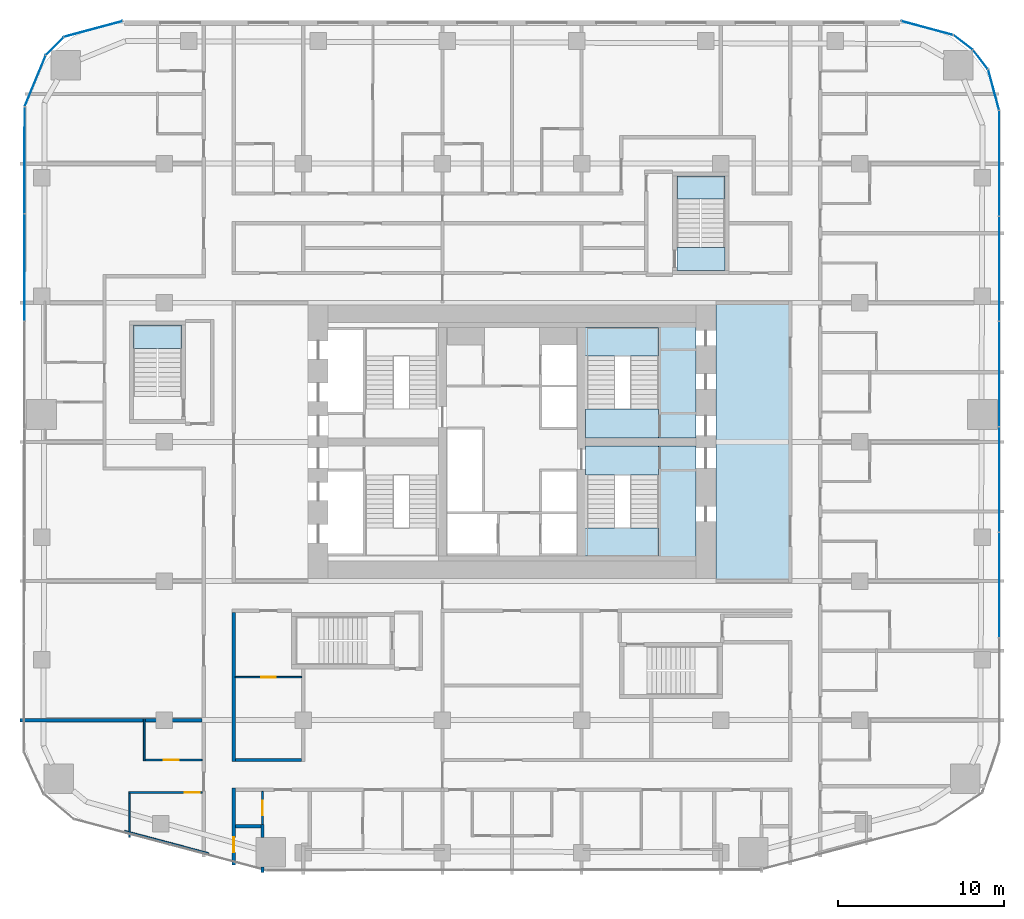
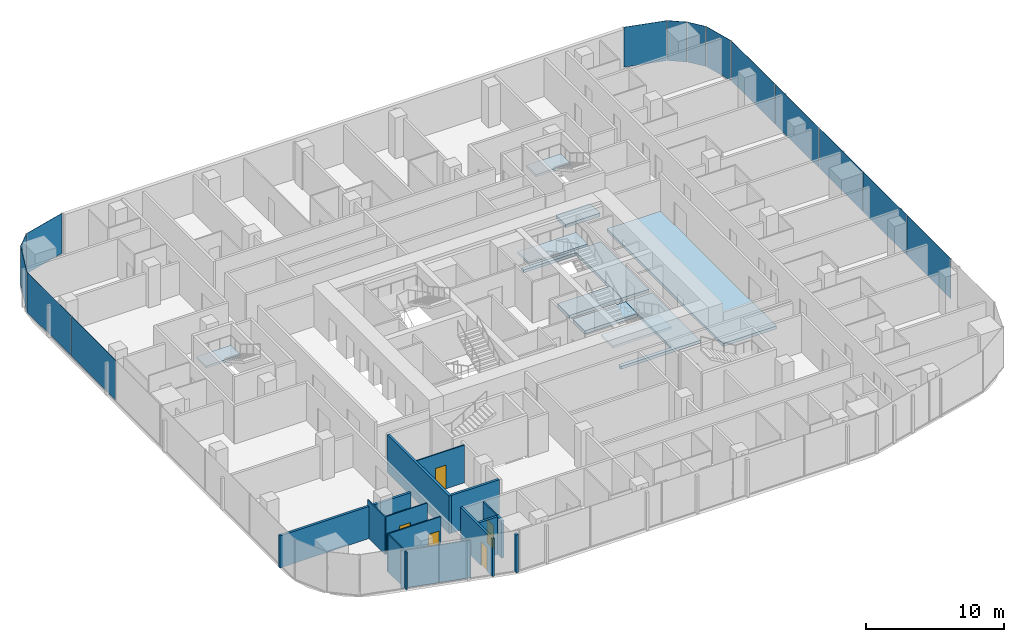
# One storey, part 15 of 26: 14 plates, 14 walls, 10 slabs, 5 doors, 5 openings, 13 elements without a shape of their own.
"""IFC4 building model written with IfcOpenShell, lengths in metres."""

from ifc_helpers import new_model, si_unit, direction, frame, frame_2d, origin, origin_2d, place, context, subcontext, project, spatial, polyline, rectangle, outline, extrude, material, layer, layer_set, type_object, element, fill, aggregate, save


model = new_model("IFC4")

# Units and contexts
model_context = context("Model", 3, precision=1e-05, world=origin(), true_north=direction((0.0, 1.0)))
body_context = subcontext(model_context, "Body", "Model", "MODEL_VIEW")
ifc_project = project(units=[si_unit("LENGTHUNIT", "METRE"), si_unit("AREAUNIT", "SQUARE_METRE"), si_unit("VOLUMEUNIT", "CUBIC_METRE"), si_unit("PLANEANGLEUNIT", "RADIAN"), si_unit("MASSUNIT", "GRAM", prefix="KILO")], contexts=[model_context])

# Site, building, storey
site_placement = place(None, origin())
site = spatial("IfcSite", under=ifc_project, at=site_placement, CompositionType="ELEMENT")
building_placement = place(site_placement, origin())
building = spatial("IfcBuilding", under=site, at=building_placement, Name="Marenta Gate Hotel Tower", CompositionType="ELEMENT")
storey_placement = place(building_placement, frame((0.0, 0.0, 79.699951171875)))
storey = spatial("IfcBuildingStorey", under=building, at=storey_placement, Name="L18", CompositionType="ELEMENT", Elevation=79.699951171875)

# Slabs
ifc_material_1 = material(Name="Concrete C40", Category="concrete")
ifc_layer_1 = layer(ifc_material_1, 0.260009765625)
ifc_layer_set_1 = layer_set([ifc_layer_1], Name="Concrete C40")
slab_type_1 = type_object("IfcSlabType", Name="Core floor slab 260", PredefinedType="FLOOR", material=ifc_layer_set_1)
slab_1_placement = place(storey_placement, frame((0.0, 0.0, -0.260009765625)))
element("IfcSlab", 1, at=slab_1_placement, inside=storey, type_object=slab_type_1, Name="L18-CF-1", PredefinedType="FLOOR", context=body_context, shape_type="SweptSolid", body=[
    extrude(outline(polyline([(12.300048828125, 0.0), (12.300048828125, 16.800048828125), (16.800048828125, 16.800048828125), (16.800048828125, 0.0), (12.300048828125, 0.0)])), origin(), (0.0, 0.0, 1.0), 0.260009765625),
])
slab_2_placement = place(storey_placement, frame((0.0, 0.0, -0.260009765625)))
element("IfcSlab", 2, at=slab_2_placement, inside=storey, type_object=slab_type_1, Name="L18-CF-2", PredefinedType="FLOOR", context=body_context, shape_type="SweptSolid", body=[
    extrude(outline(polyline([(8.85009765625, 1.5), (8.85009765625, 6.39990234375), (8.85009765625, 8.10009765625), (8.85009765625, 8.14990234375), (11.10009765625, 8.14990234375), (11.10009765625, 1.199951171875), (4.449951171875, 1.199951171875), (4.449951171875, 1.5), (8.85009765625, 1.5)])), origin(), (0.0, 0.0, 1.0), 0.260009765625),
])
slab_3_placement = place(storey_placement, frame((0.0, 0.0, -0.260009765625)))
element("IfcSlab", 3, at=slab_3_placement, inside=storey, type_object=slab_type_1, Name="L18-CF-3", PredefinedType="FLOOR", context=body_context, shape_type="SweptSolid", body=[
    extrude(outline(polyline([(8.85009765625, 15.300048828125), (4.449951171875, 15.300048828125), (4.449951171875, 15.60009765625), (11.10009765625, 15.60009765625), (11.10009765625, 8.64990234375), (8.85009765625, 8.64990234375), (8.85009765625, 8.699951171875), (8.85009765625, 10.39990234375), (8.85009765625, 15.300048828125)])), origin(), (0.0, 0.0, 1.0), 0.260009765625),
])

# Stair, slab
ifc_material_2 = material(Name="Concrete C40", Category="concrete")
stair_type_1 = type_object("IfcStairType", Name="Core exit stair 1700 wide", PredefinedType="HALF_TURN_STAIR", material=ifc_material_2)
stair_1_placement = place(storey_placement, origin())
stair_1 = element("IfcStair", 4, at=stair_1_placement, inside=storey, type_object=stair_type_1, Name="Exit stair 3", PredefinedType="HALF_TURN_STAIR")
ifc_material_3 = material(Name="Concrete C40", Category="concrete")
ifc_layer_2 = layer(ifc_material_3, 0.199951171875)
ifc_layer_set_2 = layer_set([ifc_layer_2], Name="Concrete C40")
slab_type_2 = type_object("IfcSlabType", Name="Core stair landing 200", PredefinedType="LANDING", material=ifc_layer_set_2)
slab_4_placement = place(storey_placement, frame((0.0, 0.0, 1.60009765625)))
slab_4 = element("IfcSlab", 5, at=slab_4_placement, type_object=slab_type_2, Name="SL-200 ST3 landing 1", PredefinedType="LANDING", context=body_context, shape_type="SweptSolid", body=[
    extrude(outline(polyline([(3.949951171875, 1.5), (8.85009765625, 1.5), (8.85009765625, 3.2099609375), (3.949951171875, 3.2099609375), (3.949951171875, 1.5)])), origin(), (0.0, 0.0, 1.0), 0.199951171875),
])
aggregate(stair_1, [slab_4])

stair_2_placement = place(storey_placement, origin())
stair_2 = element("IfcStair", 6, at=stair_2_placement, inside=storey, type_object=stair_type_1, Name="Exit stair 4", PredefinedType="HALF_TURN_STAIR")
slab_5_placement = place(storey_placement, frame((0.0, 0.0, 1.60009765625)))
slab_5 = element("IfcSlab", 7, at=slab_5_placement, type_object=slab_type_2, Name="SL-200 ST4 landing 1", PredefinedType="LANDING", context=body_context, shape_type="SweptSolid", body=[
    extrude(outline(polyline([(3.949951171875, 13.590087890625), (8.85009765625, 13.590087890625), (8.85009765625, 15.300048828125), (3.949951171875, 15.300048828125), (3.949951171875, 13.590087890625)])), origin(), (0.0, 0.0, 1.0), 0.199951171875),
])
aggregate(stair_2, [slab_5])

# Curtain wall, plate
ifc_material_4 = material(Name="Tinted insulated glass in bronze anodised frame", Category="glass")
ifc_layer_3 = layer(ifc_material_4, 0.1201171875)
ifc_layer_set_3 = layer_set([ifc_layer_3], Name="Tinted insulated glass in bronze anodised frame")
curtain_wall_type = type_object("IfcCurtainWallType", Name="Tower unitised curtain wall CW1", PredefinedType="NOTDEFINED", material=ifc_layer_set_3)
curtain_wall_1_placement = place(storey_placement, origin())
curtain_wall_1 = element("IfcCurtainWall", 8, at=curtain_wall_1_placement, inside=storey, type_object=curtain_wall_type, Name="CW1 run G00", PredefinedType="NOTDEFINED")
ifc_material_5 = material(Name="Tinted insulated glass", Category="glass")
ifc_layer_4 = layer(ifc_material_5, 0.028076171875)
ifc_layer_set_4 = layer_set([ifc_layer_4], Name="Tinted insulated glass")
plate_type = type_object("IfcPlateType", Name="Glass panel CW1 28 mm tinted insulated unit", PredefinedType="CURTAIN_PANEL", material=ifc_layer_set_4)
plate_1_placement = place(storey_placement, frame((-25.277099609375, 33.3232421875, 0.06005859375), z_axis=(0.0, 0.0, 1.0), x_axis=(-0.965930485164, -0.258801657317, 0.0)))
plate_1 = element("IfcPlate", 9, at=plate_1_placement, type_object=plate_type, Name="CW1 panel 1.1", PredefinedType="CURTAIN_PANEL", context=body_context, shape_type="SweptSolid", body=[
    extrude(rectangle(XDim=3.64990234375, YDim=0.028076171875, at=origin_2d()), origin(), (0.0, 0.0, 1.0), 3.5400390625),
])
aggregate(curtain_wall_1, [plate_1])

curtain_wall_2_placement = place(storey_placement, origin())
curtain_wall_2 = element("IfcCurtainWall", 10, at=curtain_wall_2_placement, inside=storey, type_object=curtain_wall_type, Name="CW1 run G01", PredefinedType="NOTDEFINED")
plate_2_placement = place(storey_placement, frame((-27.606689453125, 32.2841796875, 0.06005859375), z_axis=(0.0, 0.0, 1.0), x_axis=(-0.707106781187, -0.707106781187, 0.0)))
plate_2 = element("IfcPlate", 11, at=plate_2_placement, type_object=plate_type, Name="CW1 panel 1.1", PredefinedType="CURTAIN_PANEL", context=body_context, shape_type="SweptSolid", body=[
    extrude(rectangle(XDim=1.48291015625, YDim=0.028076171875, at=origin_2d()), origin(), (0.0, 0.0, 1.0), 3.5400390625),
])
aggregate(curtain_wall_2, [plate_2])

curtain_wall_3_placement = place(storey_placement, origin())
curtain_wall_3 = element("IfcCurtainWall", 12, at=curtain_wall_3_placement, inside=storey, type_object=curtain_wall_type, Name="CW1 run G02", PredefinedType="NOTDEFINED")
plate_3_placement = place(storey_placement, frame((-28.783203125, 30.185302734375, 0.06005859375), z_axis=(0.0, 0.0, 1.0), x_axis=(-0.382670050581, -0.923885075314, 0.0)))
plate_3 = element("IfcPlate", 13, at=plate_3_placement, type_object=plate_type, Name="CW1 panel 1.1", PredefinedType="CURTAIN_PANEL", context=body_context, shape_type="SweptSolid", body=[
    extrude(rectangle(XDim=3.28857421875, YDim=0.028076171875, at=origin_2d()), origin(), (0.0, 0.0, 1.0), 3.5400390625),
])
aggregate(curtain_wall_3, [plate_3])

# Curtain wall, plates
curtain_wall_4_placement = place(storey_placement, origin())
curtain_wall_4 = element("IfcCurtainWall", 14, at=curtain_wall_4_placement, inside=storey, type_object=curtain_wall_type, Name="CW1 run G03", PredefinedType="NOTDEFINED")
plate_4_placement = place(storey_placement, frame((-29.41748046875, 25.406005859375, 0.06005859375), z_axis=(0.0, 0.0, 1.0), x_axis=(-0.00156642217, -0.99999877316, 0.0)))
plate_4 = element("IfcPlate", 15, at=plate_4_placement, type_object=plate_type, Name="CW1 panel 1.1", PredefinedType="CURTAIN_PANEL", context=body_context, shape_type="SweptSolid", body=[
    extrude(rectangle(XDim=6.400390625, YDim=0.028076171875, at=origin_2d()), origin(), (0.0, 0.0, 1.0), 3.5400390625),
])
plate_5_placement = place(storey_placement, frame((-29.427490234375, 18.9306640625, 0.06005859375), z_axis=(0.0, 0.0, 1.0), x_axis=(-0.00156642217, -0.99999877316, 0.0)))
plate_5 = element("IfcPlate", 16, at=plate_5_placement, type_object=plate_type, Name="CW1 panel 2.1", PredefinedType="CURTAIN_PANEL", context=body_context, shape_type="SweptSolid", body=[
    extrude(rectangle(XDim=6.430419921875, YDim=0.028076171875, at=origin_2d()), origin(), (0.0, 0.0, 1.0), 3.5400390625),
])
aggregate(curtain_wall_4, [plate_4, plate_5])

curtain_wall_5_placement = place(storey_placement, origin())
curtain_wall_5 = element("IfcCurtainWall", 17, at=curtain_wall_5_placement, inside=storey, type_object=curtain_wall_type, Name="CW1 run G11", PredefinedType="NOTDEFINED")
plate_6_placement = place(storey_placement, frame((29.4140625, -0.22802734375, 0.06005859375), z_axis=(0.0, 0.0, 1.0), x_axis=(0.0, 1.0, 0.0)))
plate_6 = element("IfcPlate", 18, at=plate_6_placement, type_object=plate_type, Name="CW1 panel 2.1", PredefinedType="CURTAIN_PANEL", context=body_context, shape_type="SweptSolid", body=[
    extrude(rectangle(XDim=6.300048828125, YDim=0.028076171875, at=origin_2d()), origin(), (0.0, 0.0, 1.0), 3.5400390625),
])
plate_7_placement = place(storey_placement, frame((29.4140625, 6.132080078125, 0.06005859375), z_axis=(0.0, 0.0, 1.0), x_axis=(0.0, 1.0, 0.0)))
plate_7 = element("IfcPlate", 19, at=plate_7_placement, type_object=plate_type, Name="CW1 panel 3.1", PredefinedType="CURTAIN_PANEL", context=body_context, shape_type="SweptSolid", body=[
    extrude(rectangle(XDim=6.300048828125, YDim=0.028076171875, at=origin_2d()), origin(), (0.0, 0.0, 1.0), 3.5400390625),
])
plate_8_placement = place(storey_placement, frame((29.4140625, 12.491943359375, 0.06005859375), z_axis=(0.0, 0.0, 1.0), x_axis=(0.0, 1.0, 0.0)))
plate_8 = element("IfcPlate", 20, at=plate_8_placement, type_object=plate_type, Name="CW1 panel 4.1", PredefinedType="CURTAIN_PANEL", context=body_context, shape_type="SweptSolid", body=[
    extrude(rectangle(XDim=6.300048828125, YDim=0.028076171875, at=origin_2d()), origin(), (0.0, 0.0, 1.0), 3.5400390625),
])
plate_9_placement = place(storey_placement, frame((29.4140625, 18.851806640625, 0.06005859375), z_axis=(0.0, 0.0, 1.0), x_axis=(0.0, 1.0, 0.0)))
plate_9 = element("IfcPlate", 21, at=plate_9_placement, type_object=plate_type, Name="CW1 panel 5.1", PredefinedType="CURTAIN_PANEL", context=body_context, shape_type="SweptSolid", body=[
    extrude(rectangle(XDim=6.300048828125, YDim=0.028076171875, at=origin_2d()), origin(), (0.0, 0.0, 1.0), 3.5400390625),
])
plate_10_placement = place(storey_placement, frame((29.4140625, 25.226806640625, 0.06005859375), z_axis=(0.0, 0.0, 1.0), x_axis=(0.0, 1.0, 0.0)))
plate_10 = element("IfcPlate", 22, at=plate_10_placement, type_object=plate_type, Name="CW1 panel 6.1", PredefinedType="CURTAIN_PANEL", context=body_context, shape_type="SweptSolid", body=[
    extrude(rectangle(XDim=6.330078125, YDim=0.028076171875, at=origin_2d()), origin(), (0.0, 0.0, 1.0), 3.5400390625),
])
aggregate(curtain_wall_5, [plate_6, plate_7, plate_8, plate_9, plate_10])

# Curtain wall, plate
curtain_wall_6_placement = place(storey_placement, origin())
curtain_wall_6 = element("IfcCurtainWall", 23, at=curtain_wall_6_placement, inside=storey, type_object=curtain_wall_type, Name="CW1 run G12", PredefinedType="NOTDEFINED")
plate_11_placement = place(storey_placement, frame((29.074951171875, 29.657470703125, 0.06005859375), z_axis=(0.0, 0.0, 1.0), x_axis=(-0.258821981125, 0.965925039579, 0.0)))
plate_11 = element("IfcPlate", 24, at=plate_11_placement, type_object=plate_type, Name="CW1 panel 1.1", PredefinedType="CURTAIN_PANEL", context=body_context, shape_type="SweptSolid", body=[
    extrude(rectangle(XDim=2.50048828125, YDim=0.028076171875, at=origin_2d()), origin(), (0.0, 0.0, 1.0), 3.5400390625),
])
aggregate(curtain_wall_6, [plate_11])

curtain_wall_7_placement = place(storey_placement, origin())
curtain_wall_7 = element("IfcCurtainWall", 25, at=curtain_wall_7_placement, inside=storey, type_object=curtain_wall_type, Name="CW1 run G13", PredefinedType="NOTDEFINED")
plate_12_placement = place(storey_placement, frame((28.280029296875, 31.47900390625, 0.06005859375), z_axis=(0.0, 0.0, 1.0), x_axis=(-0.608781405318, 0.79333801153, 0.0)))
plate_12 = element("IfcPlate", 26, at=plate_12_placement, type_object=plate_type, Name="CW1 panel 1.1", PredefinedType="CURTAIN_PANEL", context=body_context, shape_type="SweptSolid", body=[
    extrude(rectangle(XDim=1.427978515625, YDim=0.028076171875, at=origin_2d()), origin(), (0.0, 0.0, 1.0), 3.5400390625),
])
aggregate(curtain_wall_7, [plate_12])

curtain_wall_8_placement = place(storey_placement, origin())
curtain_wall_8 = element("IfcCurtainWall", 27, at=curtain_wall_8_placement, inside=storey, type_object=curtain_wall_type, Name="CW1 run G14", PredefinedType="NOTDEFINED")
plate_13_placement = place(storey_placement, frame((27.2314453125, 32.5166015625, 0.06005859375), z_axis=(0.0, 0.0, 1.0), x_axis=(-0.79333801153, 0.608781405318, 0.0)))
plate_13 = element("IfcPlate", 28, at=plate_13_placement, type_object=plate_type, Name="CW1 panel 1.1", PredefinedType="CURTAIN_PANEL", context=body_context, shape_type="SweptSolid", body=[
    extrude(rectangle(XDim=1.427978515625, YDim=0.028076171875, at=origin_2d()), origin(), (0.0, 0.0, 1.0), 3.5400390625),
])
aggregate(curtain_wall_8, [plate_13])

curtain_wall_9_placement = place(storey_placement, origin())
curtain_wall_9 = element("IfcCurtainWall", 29, at=curtain_wall_9_placement, inside=storey, type_object=curtain_wall_type, Name="CW1 run G15", PredefinedType="NOTDEFINED")
plate_14_placement = place(storey_placement, frame((25.060791015625, 33.381103515625, 0.06005859375), z_axis=(0.0, 0.0, 1.0), x_axis=(-0.965928970532, 0.258807310344, 0.0)))
plate_14 = element("IfcPlate", 30, at=plate_14_placement, type_object=plate_type, Name="CW1 panel 1.1", PredefinedType="CURTAIN_PANEL", context=body_context, shape_type="SweptSolid", body=[
    extrude(rectangle(XDim=3.20166015625, YDim=0.028076171875, at=origin_2d()), origin(), (0.0, 0.0, 1.0), 3.5400390625),
])
aggregate(curtain_wall_9, [plate_14])

# Stair, slab
ifc_material_6 = material(Name="Concrete C40", Category="concrete")
stair_type_2 = type_object("IfcStairType", Name="Remote exit stair 1400 wide", PredefinedType="HALF_TURN_STAIR", material=ifc_material_6)
stair_3_placement = place(storey_placement, origin())
stair_3 = element("IfcStair", 31, at=stair_3_placement, inside=storey, type_object=stair_type_2, Name="Exit stair RS-Z1-3", PredefinedType="HALF_TURN_STAIR")
ifc_material_7 = material(Name="Concrete C40", Category="concrete")
ifc_layer_5 = layer(ifc_material_7, 0.199951171875)
ifc_layer_set_5 = layer_set([ifc_layer_5], Name="Concrete C40")
slab_type_3 = type_object("IfcSlabType", Name="Remote stair landing 200", PredefinedType="LANDING", material=ifc_layer_set_5)
slab_6_placement = place(storey_placement, frame((0.0, 0.0, 1.60009765625)))
slab_6 = element("IfcSlab", 32, at=slab_6_placement, type_object=slab_type_3, Name="RL-200 RS-Z1-3 landing 1", PredefinedType="LANDING", context=body_context, shape_type="SweptSolid", body=[
    extrude(outline(polyline([(-22.85009765625, 14.050048828125), (-19.949951171875, 14.050048828125), (-19.949951171875, 15.449951171875), (-22.85009765625, 15.449951171875), (-22.85009765625, 14.050048828125)])), origin(), (0.0, 0.0, 1.0), 0.199951171875),
])
aggregate(stair_3, [slab_6])

stair_4_placement = place(storey_placement, origin())
stair_4 = element("IfcStair", 33, at=stair_4_placement, inside=storey, type_object=stair_type_2, Name="Exit stair RS-Z1-4", PredefinedType="HALF_TURN_STAIR")
slab_7_placement = place(storey_placement, frame((0.0, 0.0, 1.60009765625)))
slab_7 = element("IfcSlab", 34, at=slab_7_placement, type_object=slab_type_3, Name="RL-200 RS-Z1-4 landing 1", PredefinedType="LANDING", context=body_context, shape_type="SweptSolid", body=[
    extrude(outline(polyline([(9.949951171875, 23.050048828125), (12.85009765625, 23.050048828125), (12.85009765625, 24.449951171875), (9.949951171875, 24.449951171875), (9.949951171875, 23.050048828125)])), origin(), (0.0, 0.0, 1.0), 0.199951171875),
])
aggregate(stair_4, [slab_7])

# Slabs
ifc_material_8 = material(Name="Concrete C40", Category="concrete")
ifc_layer_6 = layer(ifc_material_8, 0.300048828125)
ifc_layer_set_6 = layer_set([ifc_layer_6], Name="Concrete C40")
slab_type_4 = type_object("IfcSlabType", Name="Stair floor landing slab 300", PredefinedType="FLOOR", material=ifc_layer_set_6)
slab_8_placement = place(storey_placement, frame((0.0, 0.0, -0.300048828125)))
element("IfcSlab", 35, at=slab_8_placement, inside=storey, type_object=slab_type_4, Name="L18-CL-ST3-1", PredefinedType="FLOOR", context=body_context, shape_type="SweptSolid", body=[
    extrude(outline(polyline([(4.449951171875, 6.39990234375), (4.449951171875, 8.14990234375), (8.85009765625, 8.14990234375), (8.85009765625, 8.10009765625), (8.85009765625, 6.39990234375), (4.449951171875, 6.39990234375)])), origin(), (0.0, 0.0, 1.0), 0.300048828125),
])
slab_9_placement = place(storey_placement, frame((0.0, 0.0, -0.300048828125)))
element("IfcSlab", 36, at=slab_9_placement, inside=storey, type_object=slab_type_4, Name="L18-CL-ST4-1", PredefinedType="FLOOR", context=body_context, shape_type="SweptSolid", body=[
    extrude(outline(polyline([(4.449951171875, 8.64990234375), (4.449951171875, 10.39990234375), (8.85009765625, 10.39990234375), (8.85009765625, 8.699951171875), (8.85009765625, 8.64990234375), (4.449951171875, 8.64990234375)])), origin(), (0.0, 0.0, 1.0), 0.300048828125),
])
slab_10_placement = place(storey_placement, frame((0.0, 0.0, -0.300048828125)))
element("IfcSlab", 37, at=slab_10_placement, inside=storey, type_object=slab_type_4, Name="L18-RS-Z1-4-CL", PredefinedType="FLOOR", context=body_context, shape_type="SweptSolid", body=[
    extrude(outline(polyline([(12.85009765625, 18.75), (12.85009765625, 20.14990234375), (9.949951171875, 20.14990234375), (9.949951171875, 18.75), (12.85009765625, 18.75)])), origin(), (0.0, 0.0, 1.0), 0.300048828125),
])

# Wall, opening, door
ifc_material_9 = material(Name="Concrete blockwork", Category="masonry")
ifc_layer_7 = layer(ifc_material_9, 0.199951171875)
ifc_layer_set_7 = layer_set([ifc_layer_7], Name="Concrete blockwork")
wall_type_1 = type_object("IfcWallType", Name="Room corridor wall 200 EI 120", PredefinedType="PARTITIONING", material=ifc_layer_set_7)
wall_1_placement = place(storey_placement, frame((-16.800048828125, -17.14306640625, 0.0), z_axis=(0.0, 0.0, 1.0), x_axis=(0.0, 1.0, 0.0)))
wall_1 = element("IfcWall", 38, at=wall_1_placement, inside=storey, type_object=wall_type_1, Name="L18-PTN-W107", PredefinedType="PARTITIONING", context=body_context, shape_type="SweptSolid", body=[
    extrude(rectangle(XDim=4.64306640625, YDim=0.199951171875, at=frame_2d((2.321533203125, 0.0))), origin(), (0.0, 0.0, 1.0), 3.340087890625),
])
opening_1_placement = place(wall_1_placement, frame((0.77197265625, 0.0, 0.0)))
opening_1 = element("IfcOpeningElement", 39, at=opening_1_placement, cuts=wall_1, Name="Opening G07-78", PredefinedType="OPENING", context=body_context, shape_type="SweptSolid", body=[
    extrude(rectangle(XDim=0.89990234375, YDim=2.10009765625, at=frame_2d((0.449951171875, 1.050048828125))), frame((0.0, 0.10009765625, 0.0), z_axis=(0.0, -1.0, 0.0), x_axis=(1.0, 0.0, 0.0)), (0.0, 0.0, 1.0), 0.199951171875),
])
ifc_material_10 = material(Name="Hollow steel door set", Category="steel")
door_type_1 = type_object("IfcDoorType", Name="Room service door 900x2100 EI 60", OperationType="NOTDEFINED", PredefinedType="DOOR", material=ifc_material_10)
door_1_placement = place(opening_1_placement, origin())
door_1 = element("IfcDoor", 40, at=door_1_placement, inside=storey, type_object=door_type_1, Name="L18-PD-D078", OperationType="SINGLE_SWING_LEFT", OverallHeight=2.10009765625, OverallWidth=0.89990234375, PredefinedType="DOOR", context=body_context, shape_type="SweptSolid", body=[
    extrude(rectangle(XDim=0.89990234375, YDim=2.10009765625, at=frame_2d((0.449951171875, 1.050048828125))), frame((0.0, 0.02490234375, 0.0), z_axis=(0.0, -1.0, 0.0), x_axis=(1.0, 0.0, 0.0)), (0.0, 0.0, 1.0), 0.050048828125),
])
fill(opening_1, door_1)

# Walls
ifc_material_11 = material(Name="Gypsum board on steel stud", Category="steel")
ifc_layer_8 = layer(ifc_material_11, 0.199951171875)
ifc_layer_set_8 = layer_set([ifc_layer_8], Name="Gypsum board on steel stud")
wall_type_2 = type_object("IfcWallType", Name="Room corridor wall 200 EI 60", PredefinedType="PARTITIONING", material=ifc_layer_set_8)
wall_2_placement = place(storey_placement, frame((-16.699951171875, -10.800048828125, 0.0), z_axis=(0.0, 0.0, 1.0), x_axis=(1.0, 0.0, 0.0)))
element("IfcWall", 41, at=wall_2_placement, inside=storey, type_object=wall_type_2, Name="L18-PTN-W042", PredefinedType="PARTITIONING", context=body_context, shape_type="SweptSolid", body=[
    extrude(rectangle(XDim=4.0, YDim=0.199951171875, at=frame_2d((2.0, 0.0))), origin(), (0.0, 0.0, 1.0), 3.340087890625),
])
wall_3_placement = place(storey_placement, frame((-16.800048828125, -10.89990234375, 0.0), z_axis=(0.0, 0.0, 1.0), x_axis=(0.0, 1.0, 0.0)))
element("IfcWall", 42, at=wall_3_placement, inside=storey, type_object=wall_type_2, Name="L18-PTN-W108", PredefinedType="PARTITIONING", context=body_context, shape_type="SweptSolid", body=[
    extrude(rectangle(XDim=9.0, YDim=0.199951171875, at=frame_2d((4.5, 0.0))), origin(), (0.0, 0.0, 1.0), 3.340087890625),
])
ifc_material_12 = material(Name="Gypsum board on steel stud", Category="steel")
ifc_layer_9 = layer(ifc_material_12, 0.10009765625)
ifc_layer_set_9 = layer_set([ifc_layer_9], Name="Gypsum board on steel stud")
wall_type_3 = type_object("IfcWallType", Name="Room partition 100", PredefinedType="PARTITIONING", material=ifc_layer_set_9)
wall_4_placement = place(storey_placement, frame((-23.389892578125, -15.093994140625, 0.0), z_axis=(0.0, 0.0, 1.0), x_axis=(0.966552628131, -0.256468354876, 0.0)))
element("IfcWall", 43, at=wall_4_placement, inside=storey, type_object=wall_type_3, Name="L18-PTN-W013", PredefinedType="PARTITIONING", context=body_context, shape_type="SweptSolid", body=[
    extrude(rectangle(XDim=5.255615234375, YDim=0.10009765625, at=frame_2d((2.6279296875, 0.0))), origin(), (0.0, 0.0, 1.0), 3.340087890625),
])

# Wall, opening, door
wall_5_placement = place(storey_placement, frame((-23.14990234375, -12.764892578125, 0.0), z_axis=(0.0, 0.0, 1.0), x_axis=(1.0, 0.0, 0.0)))
wall_5 = element("IfcWall", 44, at=wall_5_placement, inside=storey, type_object=wall_type_3, Name="L18-PTN-W033", PredefinedType="PARTITIONING", context=body_context, shape_type="SweptSolid", body=[
    extrude(rectangle(XDim=4.449951171875, YDim=0.10009765625, at=frame_2d((2.22509765625, 0.0))), origin(), (0.0, 0.0, 1.0), 3.340087890625),
])
opening_2_placement = place(wall_5_placement, frame((3.39990234375, 0.0, 0.0)))
opening_2 = element("IfcOpeningElement", 45, at=opening_2_placement, cuts=wall_5, Name="Opening G07-52", PredefinedType="OPENING", context=body_context, shape_type="SweptSolid", body=[
    extrude(rectangle(XDim=0.89990234375, YDim=2.10009765625, at=frame_2d((0.449951171875, 1.050048828125))), frame((0.0, 0.050048828125, 0.0), z_axis=(0.0, -1.0, 0.0), x_axis=(1.0, 0.0, 0.0)), (0.0, 0.0, 1.0), 0.10009765625),
])
ifc_material_13 = material(Name="Timber door leaf", Category="wood")
door_type_2 = type_object("IfcDoorType", Name="Guest bathroom door 900x2100", OperationType="NOTDEFINED", PredefinedType="DOOR", material=ifc_material_13)
door_2_placement = place(opening_2_placement, origin())
door_2 = element("IfcDoor", 46, at=door_2_placement, inside=storey, type_object=door_type_2, Name="L18-PD-D052", OperationType="SINGLE_SWING_LEFT", OverallHeight=2.10009765625, OverallWidth=0.89990234375, PredefinedType="DOOR", context=body_context, shape_type="SweptSolid", body=[
    extrude(rectangle(XDim=0.89990234375, YDim=2.10009765625, at=frame_2d((0.449951171875, 1.050048828125))), frame((0.0, 0.02490234375, 0.0), z_axis=(0.0, -1.0, 0.0), x_axis=(1.0, 0.0, 0.0)), (0.0, 0.0, 1.0), 0.050048828125),
])
fill(opening_2, door_2)

wall_6_placement = place(storey_placement, frame((-22.14990234375, -10.800048828125, 0.0), z_axis=(0.0, 0.0, 1.0), x_axis=(1.0, 0.0, 0.0)))
wall_6 = element("IfcWall", 47, at=wall_6_placement, inside=storey, type_object=wall_type_3, Name="L18-PTN-W040", PredefinedType="PARTITIONING", context=body_context, shape_type="SweptSolid", body=[
    extrude(rectangle(XDim=3.449951171875, YDim=0.10009765625, at=frame_2d((1.72509765625, 0.0))), origin(), (0.0, 0.0, 1.0), 3.340087890625),
])
opening_3_placement = place(wall_6_placement, frame((1.1201171875, 0.0, 0.0)))
opening_3 = element("IfcOpeningElement", 48, at=opening_3_placement, cuts=wall_6, Name="Opening G07-53", PredefinedType="OPENING", context=body_context, shape_type="SweptSolid", body=[
    extrude(rectangle(XDim=0.89990234375, YDim=2.10009765625, at=frame_2d((0.449951171875, 1.050048828125))), frame((0.0, 0.050048828125, 0.0), z_axis=(0.0, -1.0, 0.0), x_axis=(1.0, 0.0, 0.0)), (0.0, 0.0, 1.0), 0.10009765625),
])
ifc_material_14 = material(Name="Timber door leaf", Category="wood")
door_type_3 = type_object("IfcDoorType", Name="Room inner door 900x2100", OperationType="NOTDEFINED", PredefinedType="DOOR", material=ifc_material_14)
door_3_placement = place(opening_3_placement, origin())
door_3 = element("IfcDoor", 49, at=door_3_placement, inside=storey, type_object=door_type_3, Name="L18-PD-D053", OperationType="SINGLE_SWING_LEFT", OverallHeight=2.10009765625, OverallWidth=0.89990234375, PredefinedType="DOOR", context=body_context, shape_type="SweptSolid", body=[
    extrude(rectangle(XDim=0.89990234375, YDim=2.10009765625, at=frame_2d((0.449951171875, 1.050048828125))), frame((0.0, 0.02490234375, 0.0), z_axis=(0.0, -1.0, 0.0), x_axis=(1.0, 0.0, 0.0)), (0.0, 0.0, 1.0), 0.050048828125),
])
fill(opening_3, door_3)

wall_7_placement = place(storey_placement, frame((-16.699951171875, -5.800048828125, 0.0), z_axis=(0.0, 0.0, 1.0), x_axis=(1.0, 0.0, 0.0)))
wall_7 = element("IfcWall", 50, at=wall_7_placement, inside=storey, type_object=wall_type_3, Name="L18-PTN-W055", PredefinedType="PARTITIONING", context=body_context, shape_type="SweptSolid", body=[
    extrude(rectangle(XDim=4.0, YDim=0.10009765625, at=frame_2d((2.0, 0.0))), origin(), (0.0, 0.0, 1.0), 3.340087890625),
])
opening_4_placement = place(wall_7_placement, frame((1.550048828125, 0.0, 0.0)))
opening_4 = element("IfcOpeningElement", 51, at=opening_4_placement, cuts=wall_7, Name="Opening G07-05", PredefinedType="OPENING", context=body_context, shape_type="SweptSolid", body=[
    extrude(rectangle(XDim=0.89990234375, YDim=2.10009765625, at=frame_2d((0.449951171875, 1.050048828125))), frame((0.0, 0.050048828125, 0.0), z_axis=(0.0, -1.0, 0.0), x_axis=(1.0, 0.0, 0.0)), (0.0, 0.0, 1.0), 0.10009765625),
])
door_4_placement = place(opening_4_placement, origin())
door_4 = element("IfcDoor", 52, at=door_4_placement, inside=storey, type_object=door_type_3, Name="L18-PD-D005", OperationType="SINGLE_SWING_LEFT", OverallHeight=2.10009765625, OverallWidth=0.89990234375, PredefinedType="DOOR", context=body_context, shape_type="SweptSolid", body=[
    extrude(rectangle(XDim=0.89990234375, YDim=2.10009765625, at=frame_2d((0.449951171875, 1.050048828125))), frame((0.0, 0.02490234375, 0.0), z_axis=(0.0, -1.0, 0.0), x_axis=(1.0, 0.0, 0.0)), (0.0, 0.0, 1.0), 0.050048828125),
])
fill(opening_4, door_4)

wall_8_placement = place(storey_placement, frame((-15.06591796875, -14.89990234375, 0.0), z_axis=(0.0, 0.0, 1.0), x_axis=(0.0, 1.0, 0.0)))
wall_8 = element("IfcWall", 53, at=wall_8_placement, inside=storey, type_object=wall_type_3, Name="L18-PTN-W105", PredefinedType="PARTITIONING", context=body_context, shape_type="SweptSolid", body=[
    extrude(rectangle(XDim=2.199951171875, YDim=0.10009765625, at=frame_2d((1.10009765625, 0.0))), origin(), (0.0, 0.0, 1.0), 3.340087890625),
])
opening_5_placement = place(wall_8_placement, frame((0.75, 0.0, 0.0)))
opening_5 = element("IfcOpeningElement", 54, at=opening_5_placement, cuts=wall_8, Name="Opening G07-77", PredefinedType="OPENING", context=body_context, shape_type="SweptSolid", body=[
    extrude(rectangle(XDim=0.89990234375, YDim=2.10009765625, at=frame_2d((0.449951171875, 1.050048828125))), frame((0.0, 0.050048828125, 0.0), z_axis=(0.0, -1.0, 0.0), x_axis=(1.0, 0.0, 0.0)), (0.0, 0.0, 1.0), 0.10009765625),
])
door_5_placement = place(opening_5_placement, origin())
door_5 = element("IfcDoor", 55, at=door_5_placement, inside=storey, type_object=door_type_2, Name="L18-PD-D077", OperationType="SINGLE_SWING_RIGHT", OverallHeight=2.10009765625, OverallWidth=0.89990234375, PredefinedType="DOOR", context=body_context, shape_type="SweptSolid", body=[
    extrude(rectangle(XDim=0.89990234375, YDim=2.10009765625, at=frame_2d((0.449951171875, 1.050048828125))), frame((0.0, 0.02490234375, 0.0), z_axis=(0.0, -1.0, 0.0), x_axis=(1.0, 0.0, 0.0)), (0.0, 0.0, 1.0), 0.050048828125),
])
fill(opening_5, door_5)

# Walls
wall_9_placement = place(storey_placement, frame((-22.199951171875, -10.85009765625, 0.0), z_axis=(0.0, 0.0, 1.0), x_axis=(0.0, 1.0, 0.0)))
element("IfcWall", 56, at=wall_9_placement, inside=storey, type_object=wall_type_3, Name="L18-PTN-W128", PredefinedType="PARTITIONING", context=body_context, shape_type="SweptSolid", body=[
    extrude(rectangle(XDim=2.550048828125, YDim=0.10009765625, at=frame_2d((1.27490234375, 0.0))), origin(), (0.0, 0.0, 1.0), 3.340087890625),
])
wall_10_placement = place(storey_placement, frame((-23.10009765625, -15.470947265625, 0.0), z_axis=(0.0, 0.0, 1.0), x_axis=(0.0, 1.0, 0.0)))
element("IfcWall", 57, at=wall_10_placement, inside=storey, type_object=wall_type_3, Name="L18-PTN-W130", PredefinedType="PARTITIONING", context=body_context, shape_type="SweptSolid", body=[
    extrude(rectangle(XDim=2.656005859375, YDim=0.10009765625, at=frame_2d((1.328125, 0.0))), origin(), (0.0, 0.0, 1.0), 3.340087890625),
])
ifc_material_15 = material(Name="Concrete blockwork", Category="masonry")
ifc_layer_10 = layer(ifc_material_15, 0.199951171875)
ifc_layer_set_10 = layer_set([ifc_layer_10], Name="Concrete blockwork")
wall_type_4 = type_object("IfcWallType", Name="Room party wall 200 EI 120", PredefinedType="PARTITIONING", material=ifc_layer_set_10)
wall_11_placement = place(storey_placement, frame((-16.699951171875, -14.800048828125, 0.0), z_axis=(0.0, 0.0, 1.0), x_axis=(1.0, 0.0, 0.0)))
element("IfcWall", 58, at=wall_11_placement, inside=storey, type_object=wall_type_4, Name="L18-PTN-W029", PredefinedType="PARTITIONING", context=body_context, shape_type="SweptSolid", body=[
    extrude(rectangle(XDim=1.583984375, YDim=0.199951171875, at=frame_2d((0.7919921875, 0.0))), origin(), (0.0, 0.0, 1.0), 3.340087890625),
])
wall_12_placement = place(storey_placement, frame((-15.06591796875, -17.593017578125, 0.0), z_axis=(0.0, 0.0, 1.0), x_axis=(0.0, 1.0, 0.0)))
element("IfcWall", 59, at=wall_12_placement, inside=storey, type_object=wall_type_4, Name="L18-PTN-W104", PredefinedType="PARTITIONING", context=body_context, shape_type="SweptSolid", body=[
    extrude(rectangle(XDim=0.318115234375, YDim=0.199951171875, at=frame_2d((0.1591796875, 0.0))), origin(), (0.0, 0.0, 1.0), 3.340087890625),
])
wall_13_placement = place(storey_placement, frame((-15.06591796875, -15.47509765625, 0.0), z_axis=(0.0, 0.0, 1.0), x_axis=(0.0, 1.0, 0.0)))
element("IfcWall", 60, at=wall_13_placement, inside=storey, type_object=wall_type_4, Name="L18-PTN-W152", PredefinedType="PARTITIONING", context=body_context, shape_type="SweptSolid", body=[
    extrude(rectangle(XDim=0.775146484375, YDim=0.199951171875, at=frame_2d((0.3876953125, 0.0))), origin(), (0.0, 0.0, 1.0), 3.340087890625),
])
ifc_material_16 = material(Name="Gypsum board on steel stud", Category="steel")
ifc_layer_11 = layer(ifc_material_16, 0.199951171875)
ifc_layer_set_11 = layer_set([ifc_layer_11], Name="Gypsum board on steel stud")
wall_type_5 = type_object("IfcWallType", Name="Room party wall 200 EI 60", PredefinedType="PARTITIONING", material=ifc_layer_set_11)
wall_14_placement = place(storey_placement, frame((-29.699951171875, -8.39990234375, 0.0), z_axis=(0.0, 0.0, 1.0), x_axis=(1.0, 0.0, 0.0)))
element("IfcWall", 61, at=wall_14_placement, inside=storey, type_object=wall_type_5, Name="L18-PTN-W046", PredefinedType="PARTITIONING", context=body_context, shape_type="SweptSolid", body=[
    extrude(rectangle(XDim=11.0, YDim=0.199951171875, at=frame_2d((5.5, 0.0))), origin(), (0.0, 0.0, 1.0), 2.840087890625),
])

save(model, "model.ifc")
